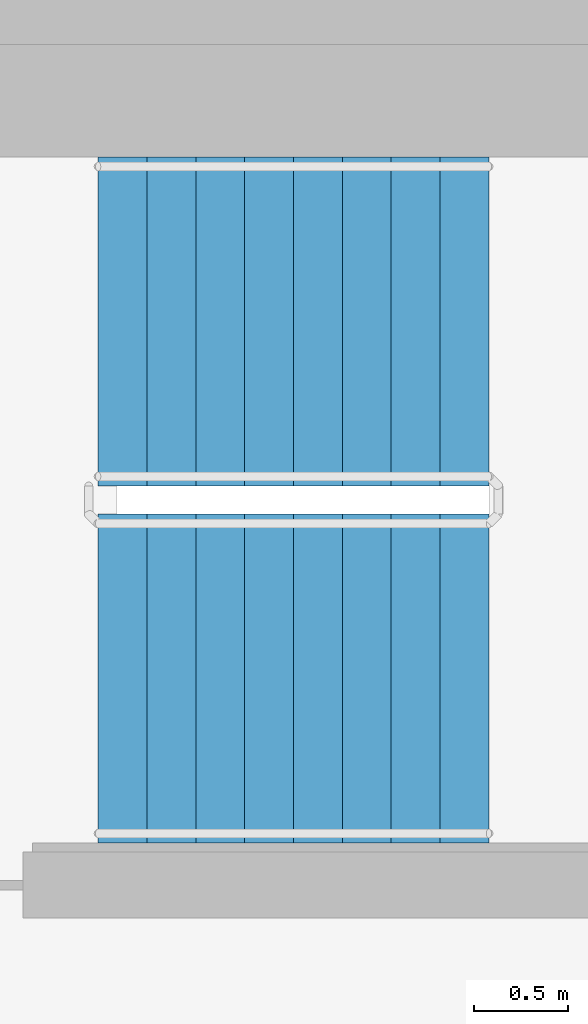
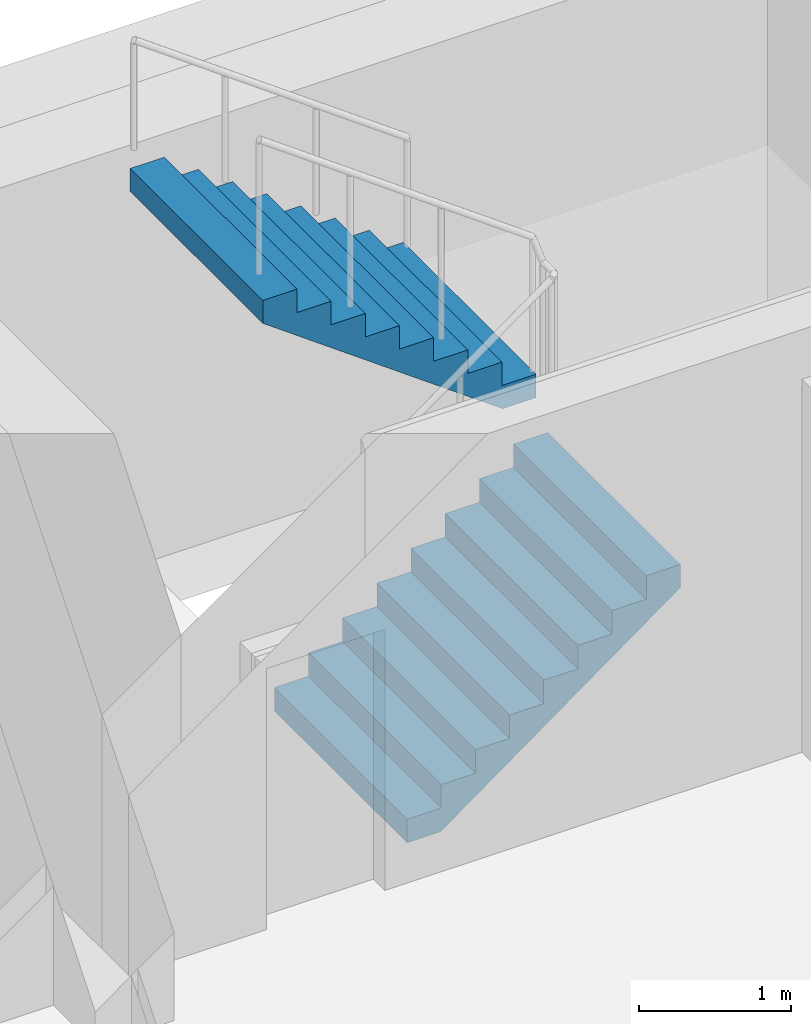
# One storey, part 13 of 18: 2 stair flights, 1 element without a shape of its own.
"""IFC4 building model written with IfcOpenShell, lengths in metres."""

from ifc_helpers import new_model, si_unit, direction, frame, origin, place, context, subcontext, project, spatial, faceted_brep, material, type_object, element, aggregate, save


model = new_model("IFC4")

# Units and contexts
model_context = context("Model", 3, precision=1e-05, world=origin(), true_north=direction((0.0, 1.0)))
body_context = subcontext(model_context, "Body", "Model", "MODEL_VIEW")
ifc_project = project(units=[si_unit("LENGTHUNIT", "METRE"), si_unit("AREAUNIT", "SQUARE_METRE"), si_unit("VOLUMEUNIT", "CUBIC_METRE"), si_unit("PLANEANGLEUNIT", "RADIAN"), si_unit("MASSUNIT", "GRAM", prefix="KILO")], contexts=[model_context])

# Site, building, storey
site_placement = place(None, origin())
site = spatial("IfcSite", under=ifc_project, at=site_placement, CompositionType="ELEMENT")
building_placement = place(site_placement, origin())
building = spatial("IfcBuilding", under=site, at=building_placement, Name="Ipe Terrace Towers", CompositionType="ELEMENT")
storey_placement = place(building_placement, frame((0.0, 0.0, 216.39990234375)))
storey = spatial("IfcBuildingStorey", under=building, at=storey_placement, Name="L60", CompositionType="ELEMENT", Elevation=216.39990234375)

# Stair, stair flights
ifc_material_1 = material(Name="Concrete C30/37", Category="concrete")
stair_type = type_object("IfcStairType", Name="Protected exit stair", PredefinedType="HALF_TURN_STAIR", material=ifc_material_1)
stair_placement = place(storey_placement, origin())
stair = element("IfcStair", 1, at=stair_placement, inside=storey, type_object=stair_type, Name="L60 Exit stair T1-C1", PredefinedType="HALF_TURN_STAIR")
ifc_material_2 = material(Name="Concrete C30/37", Category="concrete")
stair_flight_type = type_object("IfcStairFlightType", Name="Exit stair flight 1750", PredefinedType="STRAIGHT", material=ifc_material_2)
stair_flight_1_placement = place(storey_placement, frame((-26.300048828125, 2.77490234375, 0.0), z_axis=(0.0, 0.0, 1.0), x_axis=(1.0, 0.0, 0.0)))
stair_flight_1 = element("IfcStairFlight", 2, at=stair_flight_1_placement, type_object=stair_flight_type, Name="T1-ST1 flight 1", NumberOfRisers=9, NumberOfTreads=8, PredefinedType="STRAIGHT", RiserHeight=0.188888889, TreadLength=0.26, context=body_context, shape_type="Brep", body=[
    faceted_brep([(0.255126953125, -0.875, 0.0), (2.080078125, -0.875, 1.325927734375), (2.080078125, -0.875, 1.51123046875), (1.820068359375, -0.875, 1.51123046875), (1.820068359375, -0.875, 1.322265625), (1.56005859375, -0.875, 1.322265625), (1.56005859375, -0.875, 1.13330078125), (1.300048828125, -0.875, 1.13330078125), (1.300048828125, -0.875, 0.9443359375), (1.0400390625, -0.875, 0.9443359375), (1.0400390625, -0.875, 0.755615234375), (0.780029296875, -0.875, 0.755615234375), (0.780029296875, -0.875, 0.566650390625), (0.52001953125, -0.875, 0.566650390625), (0.52001953125, -0.875, 0.377685546875), (0.260009765625, -0.875, 0.377685546875), (0.260009765625, -0.875, 0.18896484375), (0.0, -0.875, 0.18896484375), (0.0, -0.875, 0.0), (0.0, 0.875, 0.0), (0.0, 0.875, 0.18896484375), (0.260009765625, 0.875, 0.18896484375), (0.260009765625, 0.875, 0.377685546875), (0.52001953125, 0.875, 0.377685546875), (0.52001953125, 0.875, 0.566650390625), (0.780029296875, 0.875, 0.566650390625), (0.780029296875, 0.875, 0.755615234375), (1.0400390625, 0.875, 0.755615234375), (1.0400390625, 0.875, 0.9443359375), (1.300048828125, 0.875, 0.9443359375), (1.300048828125, 0.875, 1.13330078125), (1.56005859375, 0.875, 1.13330078125), (1.56005859375, 0.875, 1.322265625), (1.820068359375, 0.875, 1.322265625), (1.820068359375, 0.875, 1.51123046875), (2.080078125, 0.875, 1.51123046875), (2.080078125, 0.875, 1.325927734375), (0.255126953125, 0.875, 0.0), (0.0, -0.300048828125, 0.18896484375), (0.0, -0.1201171875, 0.18896484375), (0.0, -0.06005859375, 0.18896484375), (0.0, -0.030029296875, 0.18896484375), (0.0, -0.010009765625, 0.18896484375), (0.0, 0.0, 0.18896484375), (0.0, 0.010009765625, 0.18896484375), (0.0, 0.030029296875, 0.18896484375), (0.0, 0.06005859375, 0.18896484375), (0.0, 0.1201171875, 0.18896484375), (0.0, 0.300048828125, 0.18896484375), (0.0, 0.300048828125, 0.0), (0.0, 0.1201171875, 0.0), (0.0, 0.06005859375, 0.0), (0.0, 0.030029296875, 0.0), (0.0, 0.010009765625, 0.0), (0.0, 0.0, 0.0), (0.0, -0.010009765625, 0.0), (0.0, -0.030029296875, 0.0), (0.0, -0.06005859375, 0.0), (0.0, -0.1201171875, 0.0), (0.0, -0.300048828125, 0.0), (0.260009765625, -0.300048828125, 0.18896484375), (0.260009765625, -0.1201171875, 0.18896484375), (0.260009765625, -0.06005859375, 0.18896484375), (0.260009765625, -0.030029296875, 0.18896484375), (0.260009765625, -0.010009765625, 0.18896484375), (0.260009765625, 0.0, 0.18896484375), (0.260009765625, 0.010009765625, 0.18896484375), (0.260009765625, 0.030029296875, 0.18896484375), (0.260009765625, 0.06005859375, 0.18896484375), (0.260009765625, 0.1201171875, 0.18896484375), (0.260009765625, 0.300048828125, 0.18896484375), (0.260009765625, -0.300048828125, 0.377685546875), (0.260009765625, -0.1201171875, 0.377685546875), (0.260009765625, -0.06005859375, 0.377685546875), (0.260009765625, -0.030029296875, 0.377685546875), (0.260009765625, -0.010009765625, 0.377685546875), (0.260009765625, 0.0, 0.377685546875), (0.260009765625, 0.010009765625, 0.377685546875), (0.260009765625, 0.030029296875, 0.377685546875), (0.260009765625, 0.06005859375, 0.377685546875), (0.260009765625, 0.1201171875, 0.377685546875), (0.260009765625, 0.300048828125, 0.377685546875), (0.52001953125, -0.300048828125, 0.377685546875), (0.52001953125, -0.1201171875, 0.377685546875), (0.52001953125, -0.06005859375, 0.377685546875), (0.52001953125, -0.030029296875, 0.377685546875), (0.52001953125, -0.010009765625, 0.377685546875), (0.52001953125, 0.0, 0.377685546875), (0.52001953125, 0.010009765625, 0.377685546875), (0.52001953125, 0.030029296875, 0.377685546875), (0.52001953125, 0.06005859375, 0.377685546875), (0.52001953125, 0.1201171875, 0.377685546875), (0.52001953125, 0.300048828125, 0.377685546875), (0.52001953125, -0.300048828125, 0.566650390625), (0.52001953125, -0.1201171875, 0.566650390625), (0.52001953125, -0.06005859375, 0.566650390625), (0.52001953125, -0.030029296875, 0.566650390625), (0.52001953125, -0.010009765625, 0.566650390625), (0.52001953125, 0.0, 0.566650390625), (0.52001953125, 0.010009765625, 0.566650390625), (0.52001953125, 0.030029296875, 0.566650390625), (0.52001953125, 0.06005859375, 0.566650390625), (0.52001953125, 0.1201171875, 0.566650390625), (0.52001953125, 0.300048828125, 0.566650390625), (0.780029296875, -0.300048828125, 0.566650390625), (0.780029296875, -0.1201171875, 0.566650390625), (0.780029296875, -0.06005859375, 0.566650390625), (0.780029296875, -0.030029296875, 0.566650390625), (0.780029296875, -0.010009765625, 0.566650390625), (0.780029296875, 0.0, 0.566650390625), (0.780029296875, 0.010009765625, 0.566650390625), (0.780029296875, 0.030029296875, 0.566650390625), (0.780029296875, 0.06005859375, 0.566650390625), (0.780029296875, 0.1201171875, 0.566650390625), (0.780029296875, 0.300048828125, 0.566650390625), (0.780029296875, -0.300048828125, 0.755615234375), (0.780029296875, -0.1201171875, 0.755615234375), (0.780029296875, -0.06005859375, 0.755615234375), (0.780029296875, -0.030029296875, 0.755615234375), (0.780029296875, -0.010009765625, 0.755615234375), (0.780029296875, 0.0, 0.755615234375), (0.780029296875, 0.010009765625, 0.755615234375), (0.780029296875, 0.030029296875, 0.755615234375), (0.780029296875, 0.06005859375, 0.755615234375), (0.780029296875, 0.1201171875, 0.755615234375), (0.780029296875, 0.300048828125, 0.755615234375), (1.0400390625, -0.300048828125, 0.755615234375), (1.0400390625, -0.1201171875, 0.755615234375), (1.0400390625, -0.06005859375, 0.755615234375), (1.0400390625, -0.030029296875, 0.755615234375), (1.0400390625, -0.010009765625, 0.755615234375), (1.0400390625, 0.0, 0.755615234375), (1.0400390625, 0.010009765625, 0.755615234375), (1.0400390625, 0.030029296875, 0.755615234375), (1.0400390625, 0.06005859375, 0.755615234375), (1.0400390625, 0.1201171875, 0.755615234375), (1.0400390625, 0.300048828125, 0.755615234375), (1.0400390625, -0.300048828125, 0.9443359375), (1.0400390625, -0.1201171875, 0.9443359375), (1.0400390625, -0.06005859375, 0.9443359375), (1.0400390625, -0.030029296875, 0.9443359375), (1.0400390625, -0.010009765625, 0.9443359375), (1.0400390625, 0.0, 0.9443359375), (1.0400390625, 0.010009765625, 0.9443359375), (1.0400390625, 0.030029296875, 0.9443359375), (1.0400390625, 0.06005859375, 0.9443359375), (1.0400390625, 0.1201171875, 0.9443359375), (1.0400390625, 0.300048828125, 0.9443359375), (1.300048828125, -0.300048828125, 0.9443359375), (1.300048828125, -0.1201171875, 0.9443359375), (1.300048828125, -0.06005859375, 0.9443359375), (1.300048828125, -0.030029296875, 0.9443359375), (1.300048828125, -0.010009765625, 0.9443359375), (1.300048828125, 0.0, 0.9443359375), (1.300048828125, 0.010009765625, 0.9443359375), (1.300048828125, 0.030029296875, 0.9443359375), (1.300048828125, 0.06005859375, 0.9443359375), (1.300048828125, 0.1201171875, 0.9443359375), (1.300048828125, 0.300048828125, 0.9443359375), (1.300048828125, -0.300048828125, 1.13330078125), (1.300048828125, -0.1201171875, 1.13330078125), (1.300048828125, -0.06005859375, 1.13330078125), (1.300048828125, -0.030029296875, 1.13330078125), (1.300048828125, -0.010009765625, 1.13330078125), (1.300048828125, 0.0, 1.13330078125), (1.300048828125, 0.010009765625, 1.13330078125), (1.300048828125, 0.030029296875, 1.13330078125), (1.300048828125, 0.06005859375, 1.13330078125), (1.300048828125, 0.1201171875, 1.13330078125), (1.300048828125, 0.300048828125, 1.13330078125), (1.56005859375, -0.300048828125, 1.13330078125), (1.56005859375, -0.1201171875, 1.13330078125), (1.56005859375, -0.06005859375, 1.13330078125), (1.56005859375, -0.030029296875, 1.13330078125), (1.56005859375, -0.010009765625, 1.13330078125), (1.56005859375, 0.0, 1.13330078125), (1.56005859375, 0.010009765625, 1.13330078125), (1.56005859375, 0.030029296875, 1.13330078125), (1.56005859375, 0.06005859375, 1.13330078125), (1.56005859375, 0.1201171875, 1.13330078125), (1.56005859375, 0.300048828125, 1.13330078125), (1.56005859375, -0.300048828125, 1.322265625), (1.56005859375, -0.1201171875, 1.322265625), (1.56005859375, -0.06005859375, 1.322265625), (1.56005859375, -0.030029296875, 1.322265625), (1.56005859375, -0.010009765625, 1.322265625), (1.56005859375, 0.0, 1.322265625), (1.56005859375, 0.010009765625, 1.322265625), (1.56005859375, 0.030029296875, 1.322265625), (1.56005859375, 0.06005859375, 1.322265625), (1.56005859375, 0.1201171875, 1.322265625), (1.56005859375, 0.300048828125, 1.322265625), (1.820068359375, -0.300048828125, 1.322265625), (1.820068359375, -0.1201171875, 1.322265625), (1.820068359375, -0.06005859375, 1.322265625), (1.820068359375, -0.030029296875, 1.322265625), (1.820068359375, -0.010009765625, 1.322265625), (1.820068359375, 0.0, 1.322265625), (1.820068359375, 0.010009765625, 1.322265625), (1.820068359375, 0.030029296875, 1.322265625), (1.820068359375, 0.06005859375, 1.322265625), (1.820068359375, 0.1201171875, 1.322265625), (1.820068359375, 0.300048828125, 1.322265625), (1.820068359375, -0.300048828125, 1.51123046875), (1.820068359375, -0.1201171875, 1.51123046875), (1.820068359375, -0.06005859375, 1.51123046875), (1.820068359375, -0.030029296875, 1.51123046875), (1.820068359375, -0.010009765625, 1.51123046875), (1.820068359375, 0.0, 1.51123046875), (1.820068359375, 0.010009765625, 1.51123046875), (1.820068359375, 0.030029296875, 1.51123046875), (1.820068359375, 0.06005859375, 1.51123046875), (1.820068359375, 0.1201171875, 1.51123046875), (1.820068359375, 0.300048828125, 1.51123046875), (2.080078125, -0.300048828125, 1.51123046875), (2.080078125, -0.1201171875, 1.51123046875), (2.080078125, -0.06005859375, 1.51123046875), (2.080078125, -0.030029296875, 1.51123046875), (2.080078125, -0.010009765625, 1.51123046875), (2.080078125, 0.0, 1.51123046875), (2.080078125, 0.010009765625, 1.51123046875), (2.080078125, 0.030029296875, 1.51123046875), (2.080078125, 0.06005859375, 1.51123046875), (2.080078125, 0.1201171875, 1.51123046875), (2.080078125, 0.300048828125, 1.51123046875), (2.080078125, -0.300048828125, 1.325927734375), (2.080078125, -0.1201171875, 1.325927734375), (2.080078125, -0.06005859375, 1.325927734375), (2.080078125, -0.030029296875, 1.325927734375), (2.080078125, -0.010009765625, 1.325927734375), (2.080078125, 0.0, 1.325927734375), (2.080078125, 0.010009765625, 1.325927734375), (2.080078125, 0.030029296875, 1.325927734375), (2.080078125, 0.06005859375, 1.325927734375), (2.080078125, 0.1201171875, 1.325927734375), (2.080078125, 0.300048828125, 1.325927734375), (0.255126953125, -0.300048828125, 0.0), (0.255126953125, -0.1201171875, 0.0), (0.255126953125, -0.06005859375, 0.0), (0.255126953125, -0.030029296875, 0.0), (0.255126953125, -0.010009765625, 0.0), (0.255126953125, 0.0, 0.0), (0.255126953125, 0.010009765625, 0.0), (0.255126953125, 0.030029296875, 0.0), (0.255126953125, 0.06005859375, 0.0), (0.255126953125, 0.1201171875, 0.0), (0.255126953125, 0.300048828125, 0.0)], [[[0, 1, 2, 3, 4, 5, 6, 7, 8, 9, 10, 11, 12, 13, 14, 15, 16, 17, 18]], [[19, 20, 21, 22, 23, 24, 25, 26, 27, 28, 29, 30, 31, 32, 33, 34, 35, 36, 37]], [[17, 38, 39, 40, 41, 42, 43, 44, 45, 46, 47, 48, 20, 19, 49, 50, 51, 52, 53, 54, 55, 56, 57, 58, 59, 18]], [[16, 60, 61, 62, 63, 64, 65, 66, 67, 68, 69, 70, 21, 20, 48, 47, 46, 45, 44, 43, 42, 41, 40, 39, 38, 17]], [[15, 71, 72, 73, 74, 75, 76, 77, 78, 79, 80, 81, 22, 21, 70, 69, 68, 67, 66, 65, 64, 63, 62, 61, 60, 16]], [[14, 82, 83, 84, 85, 86, 87, 88, 89, 90, 91, 92, 23, 22, 81, 80, 79, 78, 77, 76, 75, 74, 73, 72, 71, 15]], [[13, 93, 94, 95, 96, 97, 98, 99, 100, 101, 102, 103, 24, 23, 92, 91, 90, 89, 88, 87, 86, 85, 84, 83, 82, 14]], [[12, 104, 105, 106, 107, 108, 109, 110, 111, 112, 113, 114, 25, 24, 103, 102, 101, 100, 99, 98, 97, 96, 95, 94, 93, 13]], [[11, 115, 116, 117, 118, 119, 120, 121, 122, 123, 124, 125, 26, 25, 114, 113, 112, 111, 110, 109, 108, 107, 106, 105, 104, 12]], [[10, 126, 127, 128, 129, 130, 131, 132, 133, 134, 135, 136, 27, 26, 125, 124, 123, 122, 121, 120, 119, 118, 117, 116, 115, 11]], [[9, 137, 138, 139, 140, 141, 142, 143, 144, 145, 146, 147, 28, 27, 136, 135, 134, 133, 132, 131, 130, 129, 128, 127, 126, 10]], [[8, 148, 149, 150, 151, 152, 153, 154, 155, 156, 157, 158, 29, 28, 147, 146, 145, 144, 143, 142, 141, 140, 139, 138, 137, 9]], [[7, 159, 160, 161, 162, 163, 164, 165, 166, 167, 168, 169, 30, 29, 158, 157, 156, 155, 154, 153, 152, 151, 150, 149, 148, 8]], [[6, 170, 171, 172, 173, 174, 175, 176, 177, 178, 179, 180, 31, 30, 169, 168, 167, 166, 165, 164, 163, 162, 161, 160, 159, 7]], [[5, 181, 182, 183, 184, 185, 186, 187, 188, 189, 190, 191, 32, 31, 180, 179, 178, 177, 176, 175, 174, 173, 172, 171, 170, 6]], [[4, 192, 193, 194, 195, 196, 197, 198, 199, 200, 201, 202, 33, 32, 191, 190, 189, 188, 187, 186, 185, 184, 183, 182, 181, 5]], [[3, 203, 204, 205, 206, 207, 208, 209, 210, 211, 212, 213, 34, 33, 202, 201, 200, 199, 198, 197, 196, 195, 194, 193, 192, 4]], [[2, 214, 215, 216, 217, 218, 219, 220, 221, 222, 223, 224, 35, 34, 213, 212, 211, 210, 209, 208, 207, 206, 205, 204, 203, 3]], [[1, 225, 226, 227, 228, 229, 230, 231, 232, 233, 234, 235, 36, 35, 224, 223, 222, 221, 220, 219, 218, 217, 216, 215, 214, 2]], [[0, 236, 237, 238, 239, 240, 241, 242, 243, 244, 245, 246, 37, 36, 235, 234, 233, 232, 231, 230, 229, 228, 227, 226, 225, 1]], [[18, 59, 58, 57, 56, 55, 54, 53, 52, 51, 50, 49, 19, 37, 246, 245, 244, 243, 242, 241, 240, 239, 238, 237, 236, 0]]]),
])
stair_flight_2_placement = place(storey_placement, frame((-24.219970703125, 4.675048828125, 1.7001953125), z_axis=(0.0, 0.0, 1.0), x_axis=(-1.0, 0.0, 0.0)))
stair_flight_2 = element("IfcStairFlight", 3, at=stair_flight_2_placement, type_object=stair_flight_type, Name="T1-ST1 flight 2", NumberOfRisers=9, NumberOfTreads=8, PredefinedType="STRAIGHT", RiserHeight=0.188888889, TreadLength=0.26, context=body_context, shape_type="Brep", body=[
    faceted_brep([(0.255126953125, -0.875, 0.0), (2.080078125, -0.875, 1.325927734375), (2.080078125, -0.875, 1.51123046875), (1.820068359375, -0.875, 1.51123046875), (1.820068359375, -0.875, 1.322265625), (1.56005859375, -0.875, 1.322265625), (1.56005859375, -0.875, 1.13330078125), (1.300048828125, -0.875, 1.13330078125), (1.300048828125, -0.875, 0.9443359375), (1.0400390625, -0.875, 0.9443359375), (1.0400390625, -0.875, 0.755615234375), (0.780029296875, -0.875, 0.755615234375), (0.780029296875, -0.875, 0.566650390625), (0.52001953125, -0.875, 0.566650390625), (0.52001953125, -0.875, 0.377685546875), (0.260009765625, -0.875, 0.377685546875), (0.260009765625, -0.875, 0.18896484375), (0.0, -0.875, 0.18896484375), (0.0, -0.875, 0.0), (0.0, 0.875, 0.0), (0.0, 0.875, 0.18896484375), (0.260009765625, 0.875, 0.18896484375), (0.260009765625, 0.875, 0.377685546875), (0.52001953125, 0.875, 0.377685546875), (0.52001953125, 0.875, 0.566650390625), (0.780029296875, 0.875, 0.566650390625), (0.780029296875, 0.875, 0.755615234375), (1.0400390625, 0.875, 0.755615234375), (1.0400390625, 0.875, 0.9443359375), (1.300048828125, 0.875, 0.9443359375), (1.300048828125, 0.875, 1.13330078125), (1.56005859375, 0.875, 1.13330078125), (1.56005859375, 0.875, 1.322265625), (1.820068359375, 0.875, 1.322265625), (1.820068359375, 0.875, 1.51123046875), (2.080078125, 0.875, 1.51123046875), (2.080078125, 0.875, 1.325927734375), (0.255126953125, 0.875, 0.0), (0.0, -0.300048828125, 0.18896484375), (0.0, -0.1201171875, 0.18896484375), (0.0, -0.06005859375, 0.18896484375), (0.0, -0.030029296875, 0.18896484375), (0.0, -0.010009765625, 0.18896484375), (0.0, 0.0, 0.18896484375), (0.0, 0.010009765625, 0.18896484375), (0.0, 0.030029296875, 0.18896484375), (0.0, 0.06005859375, 0.18896484375), (0.0, 0.1201171875, 0.18896484375), (0.0, 0.300048828125, 0.18896484375), (0.0, 0.300048828125, 0.0), (0.0, 0.1201171875, 0.0), (0.0, 0.06005859375, 0.0), (0.0, 0.030029296875, 0.0), (0.0, 0.010009765625, 0.0), (0.0, 0.0, 0.0), (0.0, -0.010009765625, 0.0), (0.0, -0.030029296875, 0.0), (0.0, -0.06005859375, 0.0), (0.0, -0.1201171875, 0.0), (0.0, -0.300048828125, 0.0), (0.260009765625, -0.300048828125, 0.18896484375), (0.260009765625, -0.1201171875, 0.18896484375), (0.260009765625, -0.06005859375, 0.18896484375), (0.260009765625, -0.030029296875, 0.18896484375), (0.260009765625, -0.010009765625, 0.18896484375), (0.260009765625, 0.0, 0.18896484375), (0.260009765625, 0.010009765625, 0.18896484375), (0.260009765625, 0.030029296875, 0.18896484375), (0.260009765625, 0.06005859375, 0.18896484375), (0.260009765625, 0.1201171875, 0.18896484375), (0.260009765625, 0.300048828125, 0.18896484375), (0.260009765625, -0.300048828125, 0.377685546875), (0.260009765625, -0.1201171875, 0.377685546875), (0.260009765625, -0.06005859375, 0.377685546875), (0.260009765625, -0.030029296875, 0.377685546875), (0.260009765625, -0.010009765625, 0.377685546875), (0.260009765625, 0.0, 0.377685546875), (0.260009765625, 0.010009765625, 0.377685546875), (0.260009765625, 0.030029296875, 0.377685546875), (0.260009765625, 0.06005859375, 0.377685546875), (0.260009765625, 0.1201171875, 0.377685546875), (0.260009765625, 0.300048828125, 0.377685546875), (0.52001953125, -0.300048828125, 0.377685546875), (0.52001953125, -0.1201171875, 0.377685546875), (0.52001953125, -0.06005859375, 0.377685546875), (0.52001953125, -0.030029296875, 0.377685546875), (0.52001953125, -0.010009765625, 0.377685546875), (0.52001953125, 0.0, 0.377685546875), (0.52001953125, 0.010009765625, 0.377685546875), (0.52001953125, 0.030029296875, 0.377685546875), (0.52001953125, 0.06005859375, 0.377685546875), (0.52001953125, 0.1201171875, 0.377685546875), (0.52001953125, 0.300048828125, 0.377685546875), (0.52001953125, -0.300048828125, 0.566650390625), (0.52001953125, -0.1201171875, 0.566650390625), (0.52001953125, -0.06005859375, 0.566650390625), (0.52001953125, -0.030029296875, 0.566650390625), (0.52001953125, -0.010009765625, 0.566650390625), (0.52001953125, 0.0, 0.566650390625), (0.52001953125, 0.010009765625, 0.566650390625), (0.52001953125, 0.030029296875, 0.566650390625), (0.52001953125, 0.06005859375, 0.566650390625), (0.52001953125, 0.1201171875, 0.566650390625), (0.52001953125, 0.300048828125, 0.566650390625), (0.780029296875, -0.300048828125, 0.566650390625), (0.780029296875, -0.1201171875, 0.566650390625), (0.780029296875, -0.06005859375, 0.566650390625), (0.780029296875, -0.030029296875, 0.566650390625), (0.780029296875, -0.010009765625, 0.566650390625), (0.780029296875, 0.0, 0.566650390625), (0.780029296875, 0.010009765625, 0.566650390625), (0.780029296875, 0.030029296875, 0.566650390625), (0.780029296875, 0.06005859375, 0.566650390625), (0.780029296875, 0.1201171875, 0.566650390625), (0.780029296875, 0.300048828125, 0.566650390625), (0.780029296875, -0.300048828125, 0.755615234375), (0.780029296875, -0.1201171875, 0.755615234375), (0.780029296875, -0.06005859375, 0.755615234375), (0.780029296875, -0.030029296875, 0.755615234375), (0.780029296875, -0.010009765625, 0.755615234375), (0.780029296875, 0.0, 0.755615234375), (0.780029296875, 0.010009765625, 0.755615234375), (0.780029296875, 0.030029296875, 0.755615234375), (0.780029296875, 0.06005859375, 0.755615234375), (0.780029296875, 0.1201171875, 0.755615234375), (0.780029296875, 0.300048828125, 0.755615234375), (1.0400390625, -0.300048828125, 0.755615234375), (1.0400390625, -0.1201171875, 0.755615234375), (1.0400390625, -0.06005859375, 0.755615234375), (1.0400390625, -0.030029296875, 0.755615234375), (1.0400390625, -0.010009765625, 0.755615234375), (1.0400390625, 0.0, 0.755615234375), (1.0400390625, 0.010009765625, 0.755615234375), (1.0400390625, 0.030029296875, 0.755615234375), (1.0400390625, 0.06005859375, 0.755615234375), (1.0400390625, 0.1201171875, 0.755615234375), (1.0400390625, 0.300048828125, 0.755615234375), (1.0400390625, -0.300048828125, 0.9443359375), (1.0400390625, -0.1201171875, 0.9443359375), (1.0400390625, -0.06005859375, 0.9443359375), (1.0400390625, -0.030029296875, 0.9443359375), (1.0400390625, -0.010009765625, 0.9443359375), (1.0400390625, 0.0, 0.9443359375), (1.0400390625, 0.010009765625, 0.9443359375), (1.0400390625, 0.030029296875, 0.9443359375), (1.0400390625, 0.06005859375, 0.9443359375), (1.0400390625, 0.1201171875, 0.9443359375), (1.0400390625, 0.300048828125, 0.9443359375), (1.300048828125, -0.300048828125, 0.9443359375), (1.300048828125, -0.1201171875, 0.9443359375), (1.300048828125, -0.06005859375, 0.9443359375), (1.300048828125, -0.030029296875, 0.9443359375), (1.300048828125, -0.010009765625, 0.9443359375), (1.300048828125, 0.0, 0.9443359375), (1.300048828125, 0.010009765625, 0.9443359375), (1.300048828125, 0.030029296875, 0.9443359375), (1.300048828125, 0.06005859375, 0.9443359375), (1.300048828125, 0.1201171875, 0.9443359375), (1.300048828125, 0.300048828125, 0.9443359375), (1.300048828125, -0.300048828125, 1.13330078125), (1.300048828125, -0.1201171875, 1.13330078125), (1.300048828125, -0.06005859375, 1.13330078125), (1.300048828125, -0.030029296875, 1.13330078125), (1.300048828125, -0.010009765625, 1.13330078125), (1.300048828125, 0.0, 1.13330078125), (1.300048828125, 0.010009765625, 1.13330078125), (1.300048828125, 0.030029296875, 1.13330078125), (1.300048828125, 0.06005859375, 1.13330078125), (1.300048828125, 0.1201171875, 1.13330078125), (1.300048828125, 0.300048828125, 1.13330078125), (1.56005859375, -0.300048828125, 1.13330078125), (1.56005859375, -0.1201171875, 1.13330078125), (1.56005859375, -0.06005859375, 1.13330078125), (1.56005859375, -0.030029296875, 1.13330078125), (1.56005859375, -0.010009765625, 1.13330078125), (1.56005859375, 0.0, 1.13330078125), (1.56005859375, 0.010009765625, 1.13330078125), (1.56005859375, 0.030029296875, 1.13330078125), (1.56005859375, 0.06005859375, 1.13330078125), (1.56005859375, 0.1201171875, 1.13330078125), (1.56005859375, 0.300048828125, 1.13330078125), (1.56005859375, -0.300048828125, 1.322265625), (1.56005859375, -0.1201171875, 1.322265625), (1.56005859375, -0.06005859375, 1.322265625), (1.56005859375, -0.030029296875, 1.322265625), (1.56005859375, -0.010009765625, 1.322265625), (1.56005859375, 0.0, 1.322265625), (1.56005859375, 0.010009765625, 1.322265625), (1.56005859375, 0.030029296875, 1.322265625), (1.56005859375, 0.06005859375, 1.322265625), (1.56005859375, 0.1201171875, 1.322265625), (1.56005859375, 0.300048828125, 1.322265625), (1.820068359375, -0.300048828125, 1.322265625), (1.820068359375, -0.1201171875, 1.322265625), (1.820068359375, -0.06005859375, 1.322265625), (1.820068359375, -0.030029296875, 1.322265625), (1.820068359375, -0.010009765625, 1.322265625), (1.820068359375, 0.0, 1.322265625), (1.820068359375, 0.010009765625, 1.322265625), (1.820068359375, 0.030029296875, 1.322265625), (1.820068359375, 0.06005859375, 1.322265625), (1.820068359375, 0.1201171875, 1.322265625), (1.820068359375, 0.300048828125, 1.322265625), (1.820068359375, -0.300048828125, 1.51123046875), (1.820068359375, -0.1201171875, 1.51123046875), (1.820068359375, -0.06005859375, 1.51123046875), (1.820068359375, -0.030029296875, 1.51123046875), (1.820068359375, -0.010009765625, 1.51123046875), (1.820068359375, 0.0, 1.51123046875), (1.820068359375, 0.010009765625, 1.51123046875), (1.820068359375, 0.030029296875, 1.51123046875), (1.820068359375, 0.06005859375, 1.51123046875), (1.820068359375, 0.1201171875, 1.51123046875), (1.820068359375, 0.300048828125, 1.51123046875), (2.080078125, -0.300048828125, 1.51123046875), (2.080078125, -0.1201171875, 1.51123046875), (2.080078125, -0.06005859375, 1.51123046875), (2.080078125, -0.030029296875, 1.51123046875), (2.080078125, -0.010009765625, 1.51123046875), (2.080078125, 0.0, 1.51123046875), (2.080078125, 0.010009765625, 1.51123046875), (2.080078125, 0.030029296875, 1.51123046875), (2.080078125, 0.06005859375, 1.51123046875), (2.080078125, 0.1201171875, 1.51123046875), (2.080078125, 0.300048828125, 1.51123046875), (2.080078125, -0.300048828125, 1.325927734375), (2.080078125, -0.1201171875, 1.325927734375), (2.080078125, -0.06005859375, 1.325927734375), (2.080078125, -0.030029296875, 1.325927734375), (2.080078125, -0.010009765625, 1.325927734375), (2.080078125, 0.0, 1.325927734375), (2.080078125, 0.010009765625, 1.325927734375), (2.080078125, 0.030029296875, 1.325927734375), (2.080078125, 0.06005859375, 1.325927734375), (2.080078125, 0.1201171875, 1.325927734375), (2.080078125, 0.300048828125, 1.325927734375), (0.255126953125, -0.300048828125, 0.0), (0.255126953125, -0.1201171875, 0.0), (0.255126953125, -0.06005859375, 0.0), (0.255126953125, -0.030029296875, 0.0), (0.255126953125, -0.010009765625, 0.0), (0.255126953125, 0.0, 0.0), (0.255126953125, 0.010009765625, 0.0), (0.255126953125, 0.030029296875, 0.0), (0.255126953125, 0.06005859375, 0.0), (0.255126953125, 0.1201171875, 0.0), (0.255126953125, 0.300048828125, 0.0)], [[[0, 1, 2, 3, 4, 5, 6, 7, 8, 9, 10, 11, 12, 13, 14, 15, 16, 17, 18]], [[19, 20, 21, 22, 23, 24, 25, 26, 27, 28, 29, 30, 31, 32, 33, 34, 35, 36, 37]], [[17, 38, 39, 40, 41, 42, 43, 44, 45, 46, 47, 48, 20, 19, 49, 50, 51, 52, 53, 54, 55, 56, 57, 58, 59, 18]], [[16, 60, 61, 62, 63, 64, 65, 66, 67, 68, 69, 70, 21, 20, 48, 47, 46, 45, 44, 43, 42, 41, 40, 39, 38, 17]], [[15, 71, 72, 73, 74, 75, 76, 77, 78, 79, 80, 81, 22, 21, 70, 69, 68, 67, 66, 65, 64, 63, 62, 61, 60, 16]], [[14, 82, 83, 84, 85, 86, 87, 88, 89, 90, 91, 92, 23, 22, 81, 80, 79, 78, 77, 76, 75, 74, 73, 72, 71, 15]], [[13, 93, 94, 95, 96, 97, 98, 99, 100, 101, 102, 103, 24, 23, 92, 91, 90, 89, 88, 87, 86, 85, 84, 83, 82, 14]], [[12, 104, 105, 106, 107, 108, 109, 110, 111, 112, 113, 114, 25, 24, 103, 102, 101, 100, 99, 98, 97, 96, 95, 94, 93, 13]], [[11, 115, 116, 117, 118, 119, 120, 121, 122, 123, 124, 125, 26, 25, 114, 113, 112, 111, 110, 109, 108, 107, 106, 105, 104, 12]], [[10, 126, 127, 128, 129, 130, 131, 132, 133, 134, 135, 136, 27, 26, 125, 124, 123, 122, 121, 120, 119, 118, 117, 116, 115, 11]], [[9, 137, 138, 139, 140, 141, 142, 143, 144, 145, 146, 147, 28, 27, 136, 135, 134, 133, 132, 131, 130, 129, 128, 127, 126, 10]], [[8, 148, 149, 150, 151, 152, 153, 154, 155, 156, 157, 158, 29, 28, 147, 146, 145, 144, 143, 142, 141, 140, 139, 138, 137, 9]], [[7, 159, 160, 161, 162, 163, 164, 165, 166, 167, 168, 169, 30, 29, 158, 157, 156, 155, 154, 153, 152, 151, 150, 149, 148, 8]], [[6, 170, 171, 172, 173, 174, 175, 176, 177, 178, 179, 180, 31, 30, 169, 168, 167, 166, 165, 164, 163, 162, 161, 160, 159, 7]], [[5, 181, 182, 183, 184, 185, 186, 187, 188, 189, 190, 191, 32, 31, 180, 179, 178, 177, 176, 175, 174, 173, 172, 171, 170, 6]], [[4, 192, 193, 194, 195, 196, 197, 198, 199, 200, 201, 202, 33, 32, 191, 190, 189, 188, 187, 186, 185, 184, 183, 182, 181, 5]], [[3, 203, 204, 205, 206, 207, 208, 209, 210, 211, 212, 213, 34, 33, 202, 201, 200, 199, 198, 197, 196, 195, 194, 193, 192, 4]], [[2, 214, 215, 216, 217, 218, 219, 220, 221, 222, 223, 224, 35, 34, 213, 212, 211, 210, 209, 208, 207, 206, 205, 204, 203, 3]], [[1, 225, 226, 227, 228, 229, 230, 231, 232, 233, 234, 235, 36, 35, 224, 223, 222, 221, 220, 219, 218, 217, 216, 215, 214, 2]], [[0, 236, 237, 238, 239, 240, 241, 242, 243, 244, 245, 246, 37, 36, 235, 234, 233, 232, 231, 230, 229, 228, 227, 226, 225, 1]], [[18, 59, 58, 57, 56, 55, 54, 53, 52, 51, 50, 49, 19, 37, 246, 245, 244, 243, 242, 241, 240, 239, 238, 237, 236, 0]]]),
])
aggregate(stair, [stair_flight_1, stair_flight_2])

save(model, "model.ifc")
